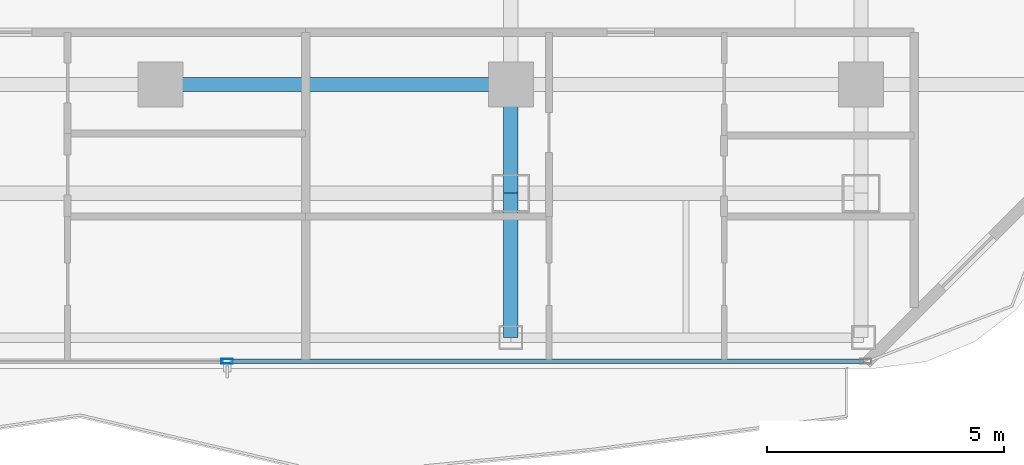
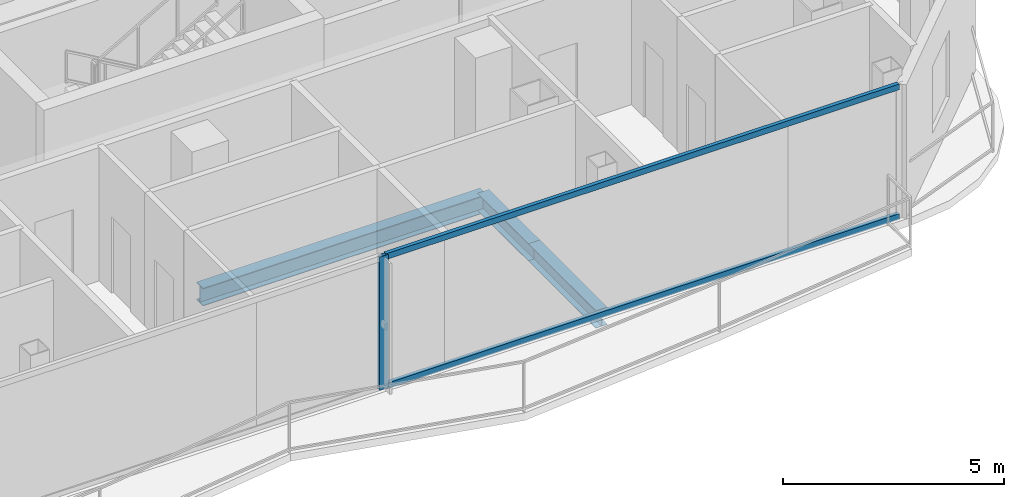
# One storey, part 4 of 26: 3 beams, 3 members, 1 element without a shape of its own.
"""IFC4 building model written with IfcOpenShell, lengths in metres."""

from ifc_helpers import new_model, si_unit, direction, frame, origin, origin_2d, place, context, subcontext, project, spatial, hollow_rectangle, i_section, extrude, material, layer, layer_set, material_profile, profile_set, type_object, element, aggregate, save


model = new_model("IFC4")

# Units and contexts
model_context = context("Model", 3, precision=1e-05, world=origin(), true_north=direction((0.0, 1.0)))
body_context = subcontext(model_context, "Body", "Model", "MODEL_VIEW")
ifc_project = project(units=[si_unit("LENGTHUNIT", "METRE"), si_unit("AREAUNIT", "SQUARE_METRE"), si_unit("VOLUMEUNIT", "CUBIC_METRE"), si_unit("PLANEANGLEUNIT", "RADIAN"), si_unit("MASSUNIT", "GRAM", prefix="KILO")], contexts=[model_context])

# Site, building, storey
site_placement = place(None, origin())
site = spatial("IfcSite", under=ifc_project, at=site_placement, CompositionType="ELEMENT")
building_placement = place(site_placement, origin())
building = spatial("IfcBuilding", under=site, at=building_placement, Name="Khorvyn Point Tower", CompositionType="ELEMENT")
storey_placement = place(building_placement, frame((0.0, 0.0, 289.800048828125)))
storey = spatial("IfcBuildingStorey", under=building, at=storey_placement, Name="L71", CompositionType="ELEMENT", Elevation=289.800048828125)

# Curtain wall, members
ifc_material_1 = material(Name="Anodised aluminium 6063-T6 and laminated Low-E glass", Category="aluminium")
ifc_layer = layer(ifc_material_1, 0.18994140625)
ifc_layer_set = layer_set([ifc_layer], Name="Stick-Built High-Wind Curtain Wall CW-SYS-04")
curtain_wall_type = type_object("IfcCurtainWallType", Name="Stick-Built High-Wind Curtain Wall CW-SYS-04", PredefinedType="NOTDEFINED", material=ifc_layer_set)
curtain_wall_placement = place(storey_placement, origin())
curtain_wall = element("IfcCurtainWall", 1, at=curtain_wall_placement, inside=storey, type_object=curtain_wall_type, Name="Curtain Wall", PredefinedType="NOTDEFINED")
ifc_material_2 = material(Name="Anodised aluminium 6063-T6", Category="aluminium")
ifc_material_profile_1 = material_profile(ifc_material_2, hollow_rectangle(XDim=0.10009765625, YDim=0.239990234375, WallThickness=0.0048828125, at=origin_2d()))
ifc_profile_set_1 = profile_set([ifc_material_profile_1], Name="Anodised aluminium 6063-T6 ALU-MUL-100x240")
member_type_1 = type_object("IfcMemberType", Name="Anodised Aluminium 6063-T6 Mullion ALU-MUL-100x240", PredefinedType="MULLION", material=ifc_profile_set_1)
member_1_placement = place(storey_placement, frame((1.405029296875, -20.64990234375, 0.0), z_axis=(0.0, 0.0, 1.0), x_axis=(0.0, -1.0, 0.0)))
member_1 = element("IfcMember", 2, at=member_1_placement, type_object=member_type_1, Name="Transom", PredefinedType="MULLION", context=body_context, shape_type="SweptSolid", body=[
    extrude(hollow_rectangle(XDim=0.10009765625, YDim=0.239990234375, WallThickness=0.0048828125, at=origin_2d()), origin(), (0.0, 0.0, 1.0), 3.679931640625),
])
ifc_material_profile_2 = material_profile(ifc_material_2, hollow_rectangle(XDim=0.10009765625, YDim=0.159912109375, WallThickness=0.00439453125, at=origin_2d()))
ifc_profile_set_2 = profile_set([ifc_material_profile_2], Name="Anodised aluminium 6063-T6 ALU-TRN-100x160")
member_type_2 = type_object("IfcMemberType", Name="Anodised Aluminium 6063-T6 Transom ALU-TRN-100x160", PredefinedType="USERDEFINED", material=ifc_profile_set_2)
member_2_placement = place(storey_placement, frame((14.85009765625, -20.64990234375, 0.050048828125), z_axis=(-1.0, 0.0, 0.0), x_axis=(0.0, -1.0, 0.0)))
member_2 = element("IfcMember", 3, at=member_2_placement, type_object=member_type_2, Name="Transom", ObjectType="TRANSOM", PredefinedType="USERDEFINED", context=body_context, shape_type="SweptSolid", body=[
    extrude(hollow_rectangle(XDim=0.10009765625, YDim=0.159912109375, WallThickness=0.00439453125, at=origin_2d()), origin(), (0.0, 0.0, 1.0), 13.39501953125),
])
member_3_placement = place(storey_placement, frame((14.85009765625, -20.64990234375, 3.6298828125), z_axis=(-1.0, 0.0, 0.0), x_axis=(0.0, -1.0, 0.0)))
member_3 = element("IfcMember", 4, at=member_3_placement, type_object=member_type_2, Name="Transom", ObjectType="TRANSOM", PredefinedType="USERDEFINED", context=body_context, shape_type="SweptSolid", body=[
    extrude(hollow_rectangle(XDim=0.10009765625, YDim=0.159912109375, WallThickness=0.00439453125, at=origin_2d()), origin(), (0.0, 0.0, 1.0), 13.39501953125),
])
aggregate(curtain_wall, [member_1, member_2, member_3])

# Beams
ifc_material_3 = material(Name="Steel S355", Category="steel")
ifc_material_profile_3 = material_profile(ifc_material_3, i_section(OverallWidth=0.300048828125, OverallDepth=0.488037109375, WebThickness=0.010986328125, FlangeThickness=0.01806640625, at=origin_2d()))
ifc_profile_set_3 = profile_set([ifc_material_profile_3], Name="Steel S355 H488x300x11x18")
beam_type = type_object("IfcBeamType", Name="Steel S355 Spandrel H488x300x11x18", PredefinedType="SPANDREL", material=ifc_profile_set_3)
beam_1_placement = place(storey_placement, frame((0.0, -14.800048828125, -0.464111328125), z_axis=(1.0, 0.0, 0.0), x_axis=(0.0, 1.0, 0.0)))
element("IfcBeam", 5, at=beam_1_placement, inside=storey, type_object=beam_type, Name="Beam", PredefinedType="SPANDREL", context=body_context, shape_type="SweptSolid", body=[
    extrude(i_section(OverallWidth=0.300048828125, OverallDepth=0.488037109375, WebThickness=0.010986328125, FlangeThickness=0.01806640625, at=origin_2d()), origin(), (0.0, 0.0, 1.0), 7.39990234375),
])
beam_2_placement = place(storey_placement, frame((7.39990234375, -20.14990234375, -0.464111328125), z_axis=(0.0, 1.0, 0.0), x_axis=(-1.0, 0.0, 0.0)))
element("IfcBeam", 6, at=beam_2_placement, inside=storey, type_object=beam_type, Name="Beam", PredefinedType="SPANDREL", context=body_context, shape_type="SweptSolid", body=[
    extrude(i_section(OverallWidth=0.300048828125, OverallDepth=0.488037109375, WebThickness=0.010986328125, FlangeThickness=0.01806640625, at=origin_2d()), origin(), (0.0, 0.0, 1.0), 3.0498046875),
])
beam_3_placement = place(storey_placement, frame((7.39990234375, -17.10009765625, -0.464111328125), z_axis=(0.0, 1.0, 0.0), x_axis=(-1.0, 0.0, 0.0)))
element("IfcBeam", 7, at=beam_3_placement, inside=storey, type_object=beam_type, Name="Beam", PredefinedType="SPANDREL", context=body_context, shape_type="SweptSolid", body=[
    extrude(i_section(OverallWidth=0.300048828125, OverallDepth=0.488037109375, WebThickness=0.010986328125, FlangeThickness=0.01806640625, at=origin_2d()), origin(), (0.0, 0.0, 1.0), 2.300048828125),
])

save(model, "model.ifc")
